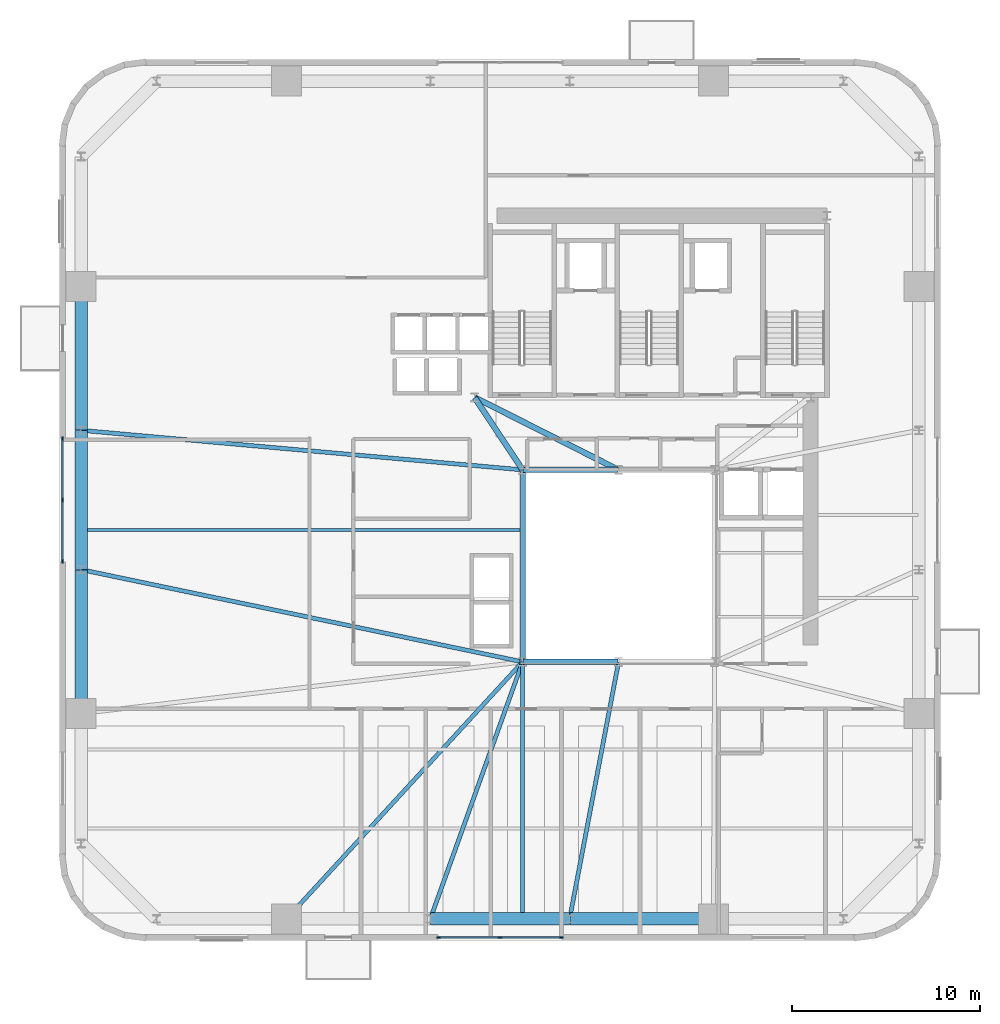
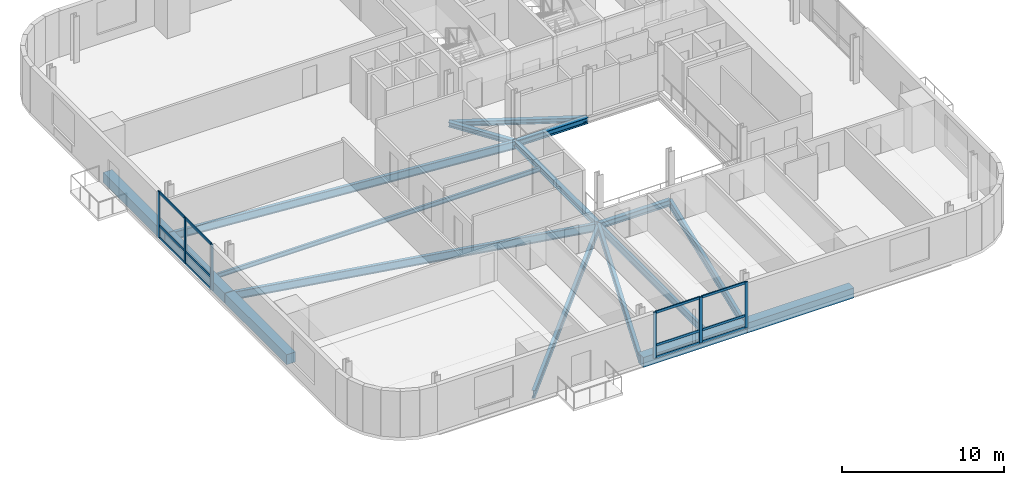
# One storey, part 2 of 14: 18 members, 17 beams, 2 elements without a shape of their own.
"""IFC4 building model written with IfcOpenShell, lengths in metres."""

import ifcopenshell
import ifcopenshell.guid

model = None  # the IFC model being written
_history = None  # IfcOwnerHistory: only IFC2X3 demands one
_inside = {}  # id of a spatial element -> (the spatial element, [elements in it])
_under = {}  # id of a project, library or spatial element -> (it, [spatial elements below it])
_declared = {}  # id of a project -> (the project, [libraries it declares])
_typed = {}  # id of a type object -> (the type object, [elements of that type])
_made_of = {}  # id of a material, layer set ... -> (it, [elements and type objects made of it])


def new_model(schema):
    """Start an empty IFC model of exactly this schema.

    Asked for "IFC4X3", IfcOpenShell would pick the latest addendum, in which some entities
    have other attributes; the version numbers below select the first issue.
    IFC2X3 requires an IfcOwnerHistory on every rooted entity: one is made here for all.
    """
    global model, _history
    if schema == "IFC4X3":
        model = ifcopenshell.file(schema_version=(4, 3, 0, 0))
    else:
        model = ifcopenshell.file(schema=schema)
    _inside.clear()
    _under.clear()
    _declared.clear()
    _typed.clear()
    _made_of.clear()
    _history = None
    if model.schema == "IFC2X3":
        org = make("IfcOrganization", Name="unknown")
        user = make(
            "IfcPersonAndOrganization",
            ThePerson=make("IfcPerson", FamilyName="unknown"),
            TheOrganization=org,
        )
        app = make(
            "IfcApplication",
            ApplicationDeveloper=org,
            Version="unknown",
            ApplicationFullName="unknown",
            ApplicationIdentifier="unknown",
        )
        _history = make(
            "IfcOwnerHistory",
            OwningUser=user,
            OwningApplication=app,
            ChangeAction="ADDED",
            CreationDate=0,
        )
    return model


def make(cls, **values):
    """One entity of the class cls with the attributes given. An attribute that is None is left unset."""
    return model.create_entity(
        cls, **{name: value for name, value in values.items() if value is not None}
    )


def rooted(cls, **values):
    """An entity with a GlobalId (a new one), such as an element, a storey or a relation."""
    return make(cls, GlobalId=ifcopenshell.guid.new(), OwnerHistory=_history, **values)


def si_unit(unit_type, name, prefix=None):
    """IfcSIUnit, for example si_unit("LENGTHUNIT", "METRE", prefix="MILLI")."""
    return make("IfcSIUnit", UnitType=unit_type, Prefix=prefix, Name=name)


def assignment(units):
    """IfcUnitAssignment: the units of a project."""
    return None if units is None else make("IfcUnitAssignment", Units=units)


def point(xyz):
    """IfcCartesianPoint."""
    return None if xyz is None else make("IfcCartesianPoint", Coordinates=xyz)


def direction(xyz):
    """IfcDirection."""
    return None if xyz is None else make("IfcDirection", DirectionRatios=xyz)


def frame(location, z_axis=None, x_axis=None):
    """IfcAxis2Placement3D, a coordinate frame: its origin and axes. An axis left out is left unset."""
    return make(
        "IfcAxis2Placement3D",
        Location=point(location),
        Axis=direction(z_axis),
        RefDirection=direction(x_axis),
    )


def frame_2d(location, x_axis=None):
    """IfcAxis2Placement2D, a coordinate frame in the plane: its origin and x axis."""
    return make(
        "IfcAxis2Placement2D", Location=point(location), RefDirection=direction(x_axis)
    )


def origin():
    """The frame at (0, 0, 0) with its axes left unset."""
    return frame((0.0, 0.0, 0.0))


def origin_2d():
    """The frame at (0, 0) in the plane with its x axis left unset."""
    return frame_2d((0.0, 0.0))


def place(relative_to, where):
    """IfcLocalPlacement: puts the frame where relative to a parent placement (None: the world)."""
    return make(
        "IfcLocalPlacement", PlacementRelTo=relative_to, RelativePlacement=where
    )


def context(
    kind, dimensions, precision=None, world=None, true_north=None, identifier=None
):
    """IfcGeometricRepresentationContext, for example the 3D "Model" context."""
    return make(
        "IfcGeometricRepresentationContext",
        ContextIdentifier=identifier,
        ContextType=kind,
        CoordinateSpaceDimension=dimensions,
        Precision=precision,
        WorldCoordinateSystem=world,
        TrueNorth=true_north,
    )


def subcontext(parent, identifier, kind, view, scale=None):
    """IfcGeometricRepresentationSubContext, for example "Body" below "Model"."""
    return make(
        "IfcGeometricRepresentationSubContext",
        ContextIdentifier=identifier,
        ContextType=kind,
        ParentContext=parent,
        TargetScale=scale,
        TargetView=view,
    )


def project(units=None, contexts=None):
    """IfcProject with its units and contexts."""
    return rooted(
        "IfcProject",
        Name="project",
        RepresentationContexts=contexts,
        UnitsInContext=assignment(units),
    )


def spatial(cls, under=None, at=None, **own):
    """A site, building, storey or space (cls), placed at a placement, below another one or the project."""
    s = rooted(cls, ObjectPlacement=at, **own)
    if under is not None:
        _under.setdefault(under.id(), (under, []))[1].append(s)
    return s


def profile(cls, at=None, kind="AREA", **sizes):
    """A parametric profile (cls). Its sizes go by their IFC names, for example OverallWidth=200.0."""
    return make(cls, ProfileType=kind, Position=at, **sizes)


def rectangle(**sizes):
    """IfcRectangleProfileDef."""
    return profile("IfcRectangleProfileDef", **sizes)


def i_section(**sizes):
    """IfcIShapeProfileDef."""
    return profile("IfcIShapeProfileDef", **sizes)


def extrude(swept, where, along, depth):
    """IfcExtrudedAreaSolid: the profile swept, set in the frame where, extruded along a direction by depth."""
    return make(
        "IfcExtrudedAreaSolid",
        SweptArea=swept,
        Position=where,
        ExtrudedDirection=direction(along),
        Depth=depth,
    )


def shape(context_of_items, identifier, shape_type, items):
    """IfcShapeRepresentation: the items that make up one representation, for example the "Body"."""
    return make(
        "IfcShapeRepresentation",
        ContextOfItems=context_of_items,
        RepresentationIdentifier=identifier,
        RepresentationType=shape_type,
        Items=items,
    )


def source(mapping_origin, context_of_items, identifier, shape_type, items):
    """IfcRepresentationMap: a shape defined once, which mapped items show again and again."""
    return make(
        "IfcRepresentationMap",
        MappingOrigin=mapping_origin,
        MappedRepresentation=shape(context_of_items, identifier, shape_type, items),
    )


def transform(
    local_origin,
    x_axis=None,
    y_axis=None,
    z_axis=None,
    scale=None,
    scale2=None,
    scale3=None,
    uniform=True,
):
    """IfcCartesianTransformationOperator3D, or its non-uniform kind. x_axis, y_axis, z_axis: its Axis1, 2, 3."""
    if uniform:
        return make(
            "IfcCartesianTransformationOperator3D",
            Axis1=direction(x_axis),
            Axis2=direction(y_axis),
            LocalOrigin=point(local_origin),
            Scale=scale,
            Axis3=direction(z_axis),
        )
    return make(
        "IfcCartesianTransformationOperator3DnonUniform",
        Axis1=direction(x_axis),
        Axis2=direction(y_axis),
        LocalOrigin=point(local_origin),
        Scale=scale,
        Axis3=direction(z_axis),
        Scale2=scale2,
        Scale3=scale3,
    )


def mapped(mapping_source, mapping_target):
    """IfcMappedItem: shows the shape of a source again, moved by a transform."""
    return make(
        "IfcMappedItem", MappingSource=mapping_source, MappingTarget=mapping_target
    )


def material(Name=None, Category=None):
    """IfcMaterial."""
    return make("IfcMaterial", Name=Name, Category=Category)


def material_profile(
    of_material, cross_section, Name=None, Category=None, Priority=None
):
    """IfcMaterialProfile: a cross section and its material."""
    return make(
        "IfcMaterialProfile",
        Name=Name,
        Material=of_material,
        Profile=cross_section,
        Priority=Priority,
        Category=Category,
    )


def profile_set(profiles, Name=None, composite=None):
    """IfcMaterialProfileSet."""
    return make(
        "IfcMaterialProfileSet",
        Name=Name,
        MaterialProfiles=profiles,
        CompositeProfile=composite,
    )


def made_of(thing, what):
    """Note that an element or type object is made of a material, layer set ...; save() writes the relation."""
    if what is not None:
        _made_of.setdefault(what.id(), (what, []))[1].append(thing)
    return thing


def type_object(cls, material=None, **own):
    """A type object (cls), such as IfcWallType, which elements share."""
    return made_of(rooted(cls, **own), material)


def element(
    cls,
    number,
    at=None,
    inside=None,
    cuts=None,
    type_object=None,
    material=None,
    context=None,
    identifier="Body",
    shape_type=None,
    held_by="IfcProductDefinitionShape",
    body=None,
    shapes=None,
    **own,
):
    """One element of the class cls, such as IfcWall. Its Tag is "e" and its number.

    at: its placement. inside: the storey or other place that contains it. cuts: it is an
    opening in that element (IfcRelVoidsElement). A single representation is given by context,
    identifier, shape_type and body (its items); several are given by shapes. held_by: the class
    of the entity that holds the representations. save() writes the other relations.
    """
    e = rooted(cls, Tag="e%d" % number, ObjectPlacement=at, **own)
    if body is not None:
        shapes = [shape(context, identifier, shape_type, body)]
    if shapes is not None:
        e.Representation = make(held_by, Representations=shapes)
    if inside is not None:
        _inside.setdefault(inside.id(), (inside, []))[1].append(e)
    if cuts is not None:
        rooted(
            "IfcRelVoidsElement", RelatingBuildingElement=cuts, RelatedOpeningElement=e
        )
    if type_object is not None:
        _typed.setdefault(type_object.id(), (type_object, []))[1].append(e)
    return made_of(e, material)


def aggregate(whole, parts):
    """IfcRelAggregates: a whole, such as a stair, and the parts it consists of."""
    return rooted("IfcRelAggregates", RelatingObject=whole, RelatedObjects=parts)


def save(model, path):
    """Write the relations noted so far, then the file.

    IfcRelAggregates (storeys below a building ...), IfcRelContainedInSpatialStructure (elements
    in a storey), IfcRelDefinesByType, IfcRelAssociatesMaterial and IfcRelDeclares: one each for
    every whole, place, type object, material and project.
    """
    for whole, parts in _under.values():
        aggregate(whole, parts)
    for where, things in _inside.values():
        rooted(
            "IfcRelContainedInSpatialStructure",
            RelatedElements=things,
            RelatingStructure=where,
        )
    for kind, things in _typed.values():
        rooted("IfcRelDefinesByType", RelatedObjects=things, RelatingType=kind)
    for what, things in _made_of.values():
        rooted("IfcRelAssociatesMaterial", RelatedObjects=things, RelatingMaterial=what)
    for by, libraries in _declared.values():
        rooted("IfcRelDeclares", RelatingContext=by, RelatedDefinitions=libraries)
    model.write(path)


model = new_model("IFC4")

# Units and contexts
model_context = context("Model", 3, precision=1e-05, world=origin(), true_north=direction((0.0, 1.0)))
body_context = subcontext(model_context, "Body", "Model", "MODEL_VIEW")
ifc_project = project(units=[si_unit("LENGTHUNIT", "METRE"), si_unit("AREAUNIT", "SQUARE_METRE"), si_unit("VOLUMEUNIT", "CUBIC_METRE"), si_unit("PLANEANGLEUNIT", "RADIAN"), si_unit("MASSUNIT", "GRAM", prefix="KILO")], contexts=[model_context])

# Site, building, storey
site_placement = place(None, origin())
site = spatial("IfcSite", under=ifc_project, at=site_placement, CompositionType="ELEMENT")
building_placement = place(site_placement, origin())
building = spatial("IfcBuilding", under=site, at=building_placement, Name="Vardaveli Station Tower", CompositionType="ELEMENT")
storey_placement = place(building_placement, frame((0.0, 0.0, 126.10009765625)))
storey = spatial("IfcBuildingStorey", under=building, at=storey_placement, Name="L32", CompositionType="ELEMENT", Elevation=126.10009765625)

# Beams
ifc_material_1 = material(Name="Structural steel S355J2", Category="steel")
ifc_material_profile_1 = material_profile(ifc_material_1, i_section(OverallWidth=0.300048828125, OverallDepth=0.449951171875, WebThickness=0.013916015625, FlangeThickness=0.02587890625, FilletRadius=0.027099609375, at=origin_2d()), Name="HEB 450")
ifc_profile_set_1 = profile_set([ifc_material_profile_1], Name="Structural steel S355J2")
beam_type_1 = type_object("IfcBeamType", Name="BM-HEB450", PredefinedType="BEAM", material=ifc_profile_set_1)
shared_shape_1 = source(origin(), body_context, "Body", "SweptSolid", [
    extrude(i_section(OverallWidth=0.300048828125, OverallDepth=0.449951171875, WebThickness=0.013916015625, FlangeThickness=0.02587890625, FilletRadius=0.027099609375, at=origin_2d()), origin(), (0.0, 0.0, 1.0), 5.06005859375),
])
for number, where, z_axis, x_axis, name in (
    (1, (31.219970703125, 16.60009765625, -0.465087890625), (1.0, 0.0, 0.0), (0.0, 1.0, 0.0), "ABM-L32-01"),
    (2, (36.280029296875, 26.800048828125, -0.465087890625), (-1.0, 0.0, 0.0), (0.0, -1.0, 0.0), "ABM-L32-05"),
):
    element("IfcBeam", number, at=place(storey_placement, frame(where, z_axis=z_axis, x_axis=x_axis)), inside=storey, type_object=beam_type_1, Name=name, PredefinedType="BEAM", context=body_context, shape_type="MappedRepresentation", body=[
        mapped(shared_shape_1, transform((0.0, 0.0, 0.0), scale=1.0)),
    ])
shared_shape_2 = source(origin(), body_context, "Body", "SweptSolid", [
    extrude(i_section(OverallWidth=0.300048828125, OverallDepth=0.449951171875, WebThickness=0.013916015625, FlangeThickness=0.02587890625, FilletRadius=0.027099609375, at=origin_2d()), origin(), (0.0, 0.0, 1.0), 10.159912109375),
])
beam_1_placement = place(storey_placement, frame((31.199951171875, 26.780029296875, -0.465087890625), z_axis=(0.0, -1.0, 0.0), x_axis=(1.0, 0.0, 0.0)))
element("IfcBeam", 3, at=beam_1_placement, inside=storey, type_object=beam_type_1, Name="ABM-L32-06", PredefinedType="BEAM", context=body_context, shape_type="MappedRepresentation", body=[
    mapped(shared_shape_2, transform((0.0, 0.0, 0.0), scale=1.0)),
])
ifc_material_profile_2 = material_profile(ifc_material_1, i_section(OverallWidth=0.300048828125, OverallDepth=0.360107421875, WebThickness=0.012451171875, FlangeThickness=0.0224609375, FilletRadius=0.027099609375, at=origin_2d()), Name="HEB 360")
ifc_profile_set_2 = profile_set([ifc_material_profile_2], Name="Structural steel S355J2")
beam_type_2 = type_object("IfcBeamType", Name="BM-HEB360", PredefinedType="BEAM", material=ifc_profile_set_2)
shared_shape_3 = source(origin(), body_context, "Body", "SweptSolid", [
    extrude(i_section(OverallWidth=0.300048828125, OverallDepth=0.360107421875, WebThickness=0.012451171875, FlangeThickness=0.0224609375, FilletRadius=0.027099609375, at=origin_2d()), origin(), (0.0, 0.0, 1.0), 4.577880859375),
])
beam_2_placement = place(storey_placement, frame((31.18896484375, 26.816650390625, -0.420166015625), z_axis=(-0.55218702139, 0.833720272879, 0.0), x_axis=(-0.833720272879, -0.55218702139, 0.0)))
element("IfcBeam", 4, at=beam_2_placement, inside=storey, type_object=beam_type_2, Name="CBM-L32-01", PredefinedType="BEAM", context=body_context, shape_type="MappedRepresentation", body=[
    mapped(shared_shape_3, transform((0.0, 0.0, 0.0), scale=1.0)),
])
shared_shape_4 = source(origin(), body_context, "Body", "SweptSolid", [
    extrude(i_section(OverallWidth=0.300048828125, OverallDepth=0.360107421875, WebThickness=0.012451171875, FlangeThickness=0.0224609375, FilletRadius=0.027099609375, at=origin_2d()), origin(), (0.0, 0.0, 1.0), 8.524169921875),
])
beam_3_placement = place(storey_placement, frame((28.66796875, 30.64111328125, -0.420166015625), z_axis=(0.893255584708, -0.449549174605, 0.0), x_axis=(0.449549174605, 0.893255584708, 0.0)))
element("IfcBeam", 5, at=beam_3_placement, inside=storey, type_object=beam_type_2, Name="CBM-L32-03", PredefinedType="BEAM", context=body_context, shape_type="MappedRepresentation", body=[
    mapped(shared_shape_4, transform((0.0, 0.0, 0.0), scale=1.0)),
])
ifc_material_2 = material(Name="Precast concrete C45/55", Category="concrete")
ifc_material_profile_3 = material_profile(ifc_material_2, rectangle(XDim=0.64990234375, YDim=0.75, at=origin_2d()), Name="LPB 650x750")
ifc_profile_set_3 = profile_set([ifc_material_profile_3], Name="Precast concrete C45/55")
beam_type_3 = type_object("IfcBeamType", Name="BM-LPB-750", PredefinedType="BEAM", material=ifc_profile_set_3)
shared_shape_5 = source(origin(), body_context, "Body", "SweptSolid", [
    extrude(rectangle(XDim=0.64990234375, YDim=0.75, at=origin_2d()), origin(), (0.0, 0.0, 1.0), 7.60009765625),
])
for number, where, z_axis, x_axis, name in (
    (6, (33.719970703125, 2.949951171875, -0.614990234375), (1.0, 0.0, 0.0), (0.0, 1.0, 0.0), "RBM-L32-03"),
    (7, (7.75, 36.52001953125, -0.614990234375), (0.0, -1.0, 0.0), (1.0, 0.0, 0.0), "RBM-L32-19"),
    (8, (7.75, 21.47998046875, -0.614990234375), (0.0, -1.0, 0.0), (1.0, 0.0, 0.0), "RBM-L32-21"),
):
    element("IfcBeam", number, at=place(storey_placement, frame(where, z_axis=z_axis, x_axis=x_axis)), inside=storey, type_object=beam_type_3, Name=name, PredefinedType="BEAM", context=body_context, shape_type="MappedRepresentation", body=[
        mapped(shared_shape_5, transform((0.0, 0.0, 0.0), scale=1.0)),
    ])
shared_shape_6 = source(origin(), body_context, "Body", "SweptSolid", [
    extrude(rectangle(XDim=0.64990234375, YDim=0.75, at=origin_2d()), origin(), (0.0, 0.0, 1.0), 7.35986328125),
])
for number, where, z_axis, x_axis, name in (
    (9, (26.320068359375, 2.949951171875, -0.614990234375), (1.0, 0.0, 0.0), (0.0, 1.0, 0.0), "RBM-L32-02"),
    (10, (7.75, 28.8798828125, -0.614990234375), (0.0, -1.0, 0.0), (1.0, 0.0, 0.0), "RBM-L32-20"),
):
    element("IfcBeam", number, at=place(storey_placement, frame(where, z_axis=z_axis, x_axis=x_axis)), inside=storey, type_object=beam_type_3, Name=name, PredefinedType="BEAM", context=body_context, shape_type="MappedRepresentation", body=[
        mapped(shared_shape_6, transform((0.0, 0.0, 0.0), scale=1.0)),
    ])
ifc_material_profile_4 = material_profile(ifc_material_1, i_section(OverallWidth=0.2099609375, OverallDepth=0.550048828125, WebThickness=0.010986328125, FlangeThickness=0.01708984375, FilletRadius=0.02392578125, at=origin_2d()), Name="IPE 550")
ifc_profile_set_4 = profile_set([ifc_material_profile_4], Name="Structural steel S355J2")
beam_type_4 = type_object("IfcBeamType", Name="BM-IPE550", PredefinedType="BEAM", material=ifc_profile_set_4)
shared_shape_7 = source(origin(), body_context, "Body", "SweptSolid", [
    extrude(i_section(OverallWidth=0.2099609375, OverallDepth=0.550048828125, WebThickness=0.010986328125, FlangeThickness=0.01708984375, FilletRadius=0.02392578125, at=origin_2d()), origin(), (0.0, 0.0, 1.0), 13.469970703125),
])
beam_4_placement = place(storey_placement, frame((31.199951171875, 2.989990234375, -0.51513671875), z_axis=(0.0, 1.0, 0.0), x_axis=(-1.0, 0.0, 0.0)))
element("IfcBeam", 11, at=beam_4_placement, inside=storey, type_object=beam_type_4, Name="NSM-L32-S1", PredefinedType="BEAM", context=body_context, shape_type="MappedRepresentation", body=[
    mapped(shared_shape_7, transform((0.0, 0.0, 0.0), scale=1.0)),
])
ifc_material_profile_5 = material_profile(ifc_material_1, i_section(OverallWidth=0.159912109375, OverallDepth=0.330078125, WebThickness=0.007568359375, FlangeThickness=0.011474609375, FilletRadius=0.01806640625, at=origin_2d()), Name="IPE 330")
ifc_profile_set_5 = profile_set([ifc_material_profile_5], Name="Structural steel S355J2")
beam_type_5 = type_object("IfcBeamType", Name="BM-IPE330", PredefinedType="JOIST", material=ifc_profile_set_5)
shared_shape_8 = source(origin(), body_context, "Body", "SweptSolid", [
    extrude(i_section(OverallWidth=0.159912109375, OverallDepth=0.330078125, WebThickness=0.007568359375, FlangeThickness=0.011474609375, FilletRadius=0.01806640625, at=origin_2d()), origin(), (0.0, 0.0, 1.0), 23.2978515625),
])
beam_5_placement = place(storey_placement, frame((7.7900390625, 23.60009765625, -0.405029296875), z_axis=(1.0, 0.0, 0.0), x_axis=(0.0, 1.0, 0.0)))
element("IfcBeam", 12, at=beam_5_placement, inside=storey, type_object=beam_type_5, Name="SJ-L32-W06", PredefinedType="JOIST", context=body_context, shape_type="MappedRepresentation", body=[
    mapped(shared_shape_8, transform((0.0, 0.0, 0.0), scale=1.0)),
])
ifc_material_profile_6 = material_profile(ifc_material_1, i_section(OverallWidth=0.219970703125, OverallDepth=0.60009765625, WebThickness=0.011962890625, FlangeThickness=0.01904296875, FilletRadius=0.02392578125, at=origin_2d()), Name="IPE 600")
ifc_profile_set_6 = profile_set([ifc_material_profile_6], Name="Structural steel S355J2")
beam_type_6 = type_object("IfcBeamType", Name="BM-IPE600", PredefinedType="BEAM", material=ifc_profile_set_6)
shared_shape_9 = source(origin(), body_context, "Body", "SweptSolid", [
    extrude(i_section(OverallWidth=0.219970703125, OverallDepth=0.60009765625, WebThickness=0.011962890625, FlangeThickness=0.01904296875, FilletRadius=0.02392578125, at=origin_2d()), origin(), (0.0, 0.0, 1.0), 18.49560546875),
])
beam_6_placement = place(storey_placement, frame((18.673583984375, 2.96484375, -0.5400390625), z_axis=(0.676535341891, 0.736410165039, 0.0), x_axis=(-0.736410165039, 0.676535341891, 0.0)))
element("IfcBeam", 13, at=beam_6_placement, inside=storey, type_object=beam_type_6, Name="GBM-L32-01", PredefinedType="BEAM", context=body_context, shape_type="MappedRepresentation", body=[
    mapped(shared_shape_9, transform((0.0, 0.0, 0.0), scale=1.0)),
])
shared_shape_10 = source(origin(), body_context, "Body", "SweptSolid", [
    extrude(i_section(OverallWidth=0.219970703125, OverallDepth=0.60009765625, WebThickness=0.011962890625, FlangeThickness=0.01904296875, FilletRadius=0.02392578125, at=origin_2d()), origin(), (0.0, 0.0, 1.0), 14.462890625),
])
beam_7_placement = place(storey_placement, frame((26.306640625, 2.96875, -0.5400390625), z_axis=(0.337880090533, 0.941189165057, 0.0), x_axis=(-0.941189165057, 0.337880090533, 0.0)))
element("IfcBeam", 14, at=beam_7_placement, inside=storey, type_object=beam_type_6, Name="GBM-L32-02", PredefinedType="BEAM", context=body_context, shape_type="MappedRepresentation", body=[
    mapped(shared_shape_10, transform((0.0, 0.0, 0.0), scale=1.0)),
])
shared_shape_11 = source(origin(), body_context, "Body", "SweptSolid", [
    extrude(i_section(OverallWidth=0.219970703125, OverallDepth=0.60009765625, WebThickness=0.011962890625, FlangeThickness=0.01904296875, FilletRadius=0.02392578125, at=origin_2d()), origin(), (0.0, 0.0, 1.0), 13.855224609375),
])
beam_8_placement = place(storey_placement, frame((33.703857421875, 2.9697265625, -0.5400390625), z_axis=(0.187097533125, 0.982341342456, 0.0), x_axis=(-0.982341342456, 0.187097533125, 0.0)))
element("IfcBeam", 15, at=beam_8_placement, inside=storey, type_object=beam_type_6, Name="GBM-L32-03", PredefinedType="BEAM", context=body_context, shape_type="MappedRepresentation", body=[
    mapped(shared_shape_11, transform((0.0, 0.0, 0.0), scale=1.0)),
])
shared_shape_12 = source(origin(), body_context, "Body", "SweptSolid", [
    extrude(i_section(OverallWidth=0.219970703125, OverallDepth=0.60009765625, WebThickness=0.011962890625, FlangeThickness=0.01904296875, FilletRadius=0.02392578125, at=origin_2d()), origin(), (0.0, 0.0, 1.0), 23.50390625),
])
beam_9_placement = place(storey_placement, frame((7.77001953125, 28.898193359375, -0.5400390625), z_axis=(0.996014142198, -0.08919545135, 0.0), x_axis=(0.08919545135, 0.996014142198, 0.0)))
element("IfcBeam", 16, at=beam_9_placement, inside=storey, type_object=beam_type_6, Name="GBM-L32-08", PredefinedType="BEAM", context=body_context, shape_type="MappedRepresentation", body=[
    mapped(shared_shape_12, transform((0.0, 0.0, 0.0), scale=1.0)),
])
shared_shape_13 = source(origin(), body_context, "Body", "SweptSolid", [
    extrude(i_section(OverallWidth=0.219970703125, OverallDepth=0.60009765625, WebThickness=0.011962890625, FlangeThickness=0.01904296875, FilletRadius=0.02392578125, at=origin_2d()), origin(), (0.0, 0.0, 1.0), 23.91650390625),
])
beam_10_placement = place(storey_placement, frame((7.76953125, 21.495849609375, -0.5400390625), z_axis=(0.978858547354, -0.204538368703, 0.0), x_axis=(0.204538368703, 0.978858547354, 0.0)))
element("IfcBeam", 17, at=beam_10_placement, inside=storey, type_object=beam_type_6, Name="GBM-L32-09", PredefinedType="BEAM", context=body_context, shape_type="MappedRepresentation", body=[
    mapped(shared_shape_13, transform((0.0, 0.0, 0.0), scale=1.0)),
])

# Curtain wall, members
ifc_material_3 = material(Name="Travertine stone and solar-control glass", Category="masonry")
curtain_wall_type = type_object("IfcCurtainWallType", Name="CW-SYS-2", PredefinedType="NOTDEFINED", material=ifc_material_3)
curtain_wall_1_placement = place(storey_placement, origin())
curtain_wall_1 = element("IfcCurtainWall", 18, at=curtain_wall_1_placement, inside=storey, type_object=curtain_wall_type, Name="CW-L32-S", PredefinedType="NOTDEFINED")
ifc_material_4 = material(Name="Anodised aluminium alloy 6063-T6", Category="aluminium")
ifc_material_profile_7 = material_profile(ifc_material_4, rectangle(XDim=0.0849609375, YDim=0.179931640625, at=origin_2d()), Name="CWT 85x180")
ifc_profile_set_7 = profile_set([ifc_material_profile_7], Name="Anodised aluminium alloy 6063-T6")
member_type_1 = type_object("IfcMemberType", Name="CW-SYS-2-TRAN", PredefinedType="NOTDEFINED", material=ifc_profile_set_7)
shared_shape_14 = source(origin(), body_context, "Body", "SweptSolid", [
    extrude(rectangle(XDim=0.0849609375, YDim=0.179931640625, at=origin_2d()), origin(), (0.0, 0.0, 1.0), 3.172607421875),
])
member_1_placement = place(storey_placement, frame((26.784912109375, 1.9599609375, 0.04248046875), z_axis=(1.0, 0.0, 0.0), x_axis=(0.0, 1.0, 0.0)))
member_1 = element("IfcMember", 19, at=member_1_placement, type_object=member_type_1, Name="CW-2 transom 1.1", ObjectType="TRANSOM", PredefinedType="USERDEFINED", context=body_context, shape_type="MappedRepresentation", body=[
    mapped(shared_shape_14, transform((0.0, 0.0, 0.0), scale=1.0)),
])
member_2_placement = place(storey_placement, frame((26.784912109375, 1.9599609375, 0.949951171875), z_axis=(1.0, 0.0, 0.0), x_axis=(0.0, 1.0, 0.0)))
member_2 = element("IfcMember", 20, at=member_2_placement, type_object=member_type_1, Name="CW-2 transom 1.2", ObjectType="TRANSOM", PredefinedType="USERDEFINED", context=body_context, shape_type="MappedRepresentation", body=[
    mapped(shared_shape_14, transform((0.0, 0.0, 0.0), scale=1.0)),
])
member_3_placement = place(storey_placement, frame((26.784912109375, 1.9599609375, 3.41748046875), z_axis=(1.0, 0.0, 0.0), x_axis=(0.0, 1.0, 0.0)))
member_3 = element("IfcMember", 21, at=member_3_placement, type_object=member_type_1, Name="CW-2 transom 1.3", ObjectType="TRANSOM", PredefinedType="USERDEFINED", context=body_context, shape_type="MappedRepresentation", body=[
    mapped(shared_shape_14, transform((0.0, 0.0, 0.0), scale=1.0)),
])
member_4_placement = place(storey_placement, frame((30.04248046875, 1.9599609375, 0.04248046875), z_axis=(1.0, 0.0, 0.0), x_axis=(0.0, 1.0, 0.0)))
member_4 = element("IfcMember", 22, at=member_4_placement, type_object=member_type_1, Name="CW-2 transom 2.1", ObjectType="TRANSOM", PredefinedType="USERDEFINED", context=body_context, shape_type="MappedRepresentation", body=[
    mapped(shared_shape_14, transform((0.0, 0.0, 0.0), scale=1.0)),
])
member_5_placement = place(storey_placement, frame((30.04248046875, 1.9599609375, 0.949951171875), z_axis=(1.0, 0.0, 0.0), x_axis=(0.0, 1.0, 0.0)))
member_5 = element("IfcMember", 23, at=member_5_placement, type_object=member_type_1, Name="CW-2 transom 2.2", ObjectType="TRANSOM", PredefinedType="USERDEFINED", context=body_context, shape_type="MappedRepresentation", body=[
    mapped(shared_shape_14, transform((0.0, 0.0, 0.0), scale=1.0)),
])
member_6_placement = place(storey_placement, frame((30.04248046875, 1.9599609375, 3.41748046875), z_axis=(1.0, 0.0, 0.0), x_axis=(0.0, 1.0, 0.0)))
member_6 = element("IfcMember", 24, at=member_6_placement, type_object=member_type_1, Name="CW-2 transom 2.3", ObjectType="TRANSOM", PredefinedType="USERDEFINED", context=body_context, shape_type="MappedRepresentation", body=[
    mapped(shared_shape_14, transform((0.0, 0.0, 0.0), scale=1.0)),
])

curtain_wall_2_placement = place(storey_placement, origin())
curtain_wall_2 = element("IfcCurtainWall", 25, at=curtain_wall_2_placement, inside=storey, type_object=curtain_wall_type, Name="CW-L32-W", PredefinedType="NOTDEFINED")
member_7_placement = place(storey_placement, frame((6.760009765625, 28.4150390625, 0.04248046875), z_axis=(0.0, -1.0, 0.0), x_axis=(1.0, 0.0, 0.0)))
member_7 = element("IfcMember", 26, at=member_7_placement, type_object=member_type_1, Name="CW-2 transom 1.1", ObjectType="TRANSOM", PredefinedType="USERDEFINED", context=body_context, shape_type="MappedRepresentation", body=[
    mapped(shared_shape_14, transform((0.0, 0.0, 0.0), scale=1.0)),
])
member_8_placement = place(storey_placement, frame((6.760009765625, 28.4150390625, 0.949951171875), z_axis=(0.0, -1.0, 0.0), x_axis=(1.0, 0.0, 0.0)))
member_8 = element("IfcMember", 27, at=member_8_placement, type_object=member_type_1, Name="CW-2 transom 1.2", ObjectType="TRANSOM", PredefinedType="USERDEFINED", context=body_context, shape_type="MappedRepresentation", body=[
    mapped(shared_shape_14, transform((0.0, 0.0, 0.0), scale=1.0)),
])
member_9_placement = place(storey_placement, frame((6.760009765625, 28.4150390625, 3.41748046875), z_axis=(0.0, -1.0, 0.0), x_axis=(1.0, 0.0, 0.0)))
member_9 = element("IfcMember", 28, at=member_9_placement, type_object=member_type_1, Name="CW-2 transom 1.3", ObjectType="TRANSOM", PredefinedType="USERDEFINED", context=body_context, shape_type="MappedRepresentation", body=[
    mapped(shared_shape_14, transform((0.0, 0.0, 0.0), scale=1.0)),
])
shared_shape_15 = source(origin(), body_context, "Body", "SweptSolid", [
    extrude(rectangle(XDim=0.0849609375, YDim=0.179931640625, at=origin_2d()), origin(), (0.0, 0.0, 1.0), 3.17236328125),
])
member_10_placement = place(storey_placement, frame((6.760009765625, 25.157470703125, 0.04248046875), z_axis=(0.0, -1.0, 0.0), x_axis=(1.0, 0.0, 0.0)))
member_10 = element("IfcMember", 29, at=member_10_placement, type_object=member_type_1, Name="CW-2 transom 2.1", ObjectType="TRANSOM", PredefinedType="USERDEFINED", context=body_context, shape_type="MappedRepresentation", body=[
    mapped(shared_shape_15, transform((0.0, 0.0, 0.0), scale=1.0)),
])
member_11_placement = place(storey_placement, frame((6.760009765625, 25.157470703125, 0.949951171875), z_axis=(0.0, -1.0, 0.0), x_axis=(1.0, 0.0, 0.0)))
member_11 = element("IfcMember", 30, at=member_11_placement, type_object=member_type_1, Name="CW-2 transom 2.2", ObjectType="TRANSOM", PredefinedType="USERDEFINED", context=body_context, shape_type="MappedRepresentation", body=[
    mapped(shared_shape_15, transform((0.0, 0.0, 0.0), scale=1.0)),
])
member_12_placement = place(storey_placement, frame((6.760009765625, 25.157470703125, 3.41748046875), z_axis=(0.0, -1.0, 0.0), x_axis=(1.0, 0.0, 0.0)))
member_12 = element("IfcMember", 31, at=member_12_placement, type_object=member_type_1, Name="CW-2 transom 2.3", ObjectType="TRANSOM", PredefinedType="USERDEFINED", context=body_context, shape_type="MappedRepresentation", body=[
    mapped(shared_shape_15, transform((0.0, 0.0, 0.0), scale=1.0)),
])

# Member
ifc_material_profile_8 = material_profile(ifc_material_4, rectangle(XDim=0.0849609375, YDim=0.219970703125, at=origin_2d()), Name="CWM 85x220")
ifc_profile_set_8 = profile_set([ifc_material_profile_8], Name="Anodised aluminium alloy 6063-T6")
member_type_2 = type_object("IfcMemberType", Name="CW-SYS-2-MULL", PredefinedType="MULLION", material=ifc_profile_set_8)
shared_shape_16 = source(origin(), body_context, "Body", "SweptSolid", [
    extrude(rectangle(XDim=0.0849609375, YDim=0.219970703125, at=origin_2d()), origin(), (0.0, 0.0, 1.0), 3.4599609375),
])
member_13_placement = place(storey_placement, frame((26.742431640625, 1.9599609375, 0.0), z_axis=(0.0, 0.0, 1.0), x_axis=(0.0, 1.0, 0.0)))
member_13 = element("IfcMember", 32, at=member_13_placement, type_object=member_type_2, Name="CW-2 mullion 1", PredefinedType="MULLION", context=body_context, shape_type="MappedRepresentation", body=[
    mapped(shared_shape_16, transform((0.0, 0.0, 0.0), scale=1.0)),
])

member_14_placement = place(storey_placement, frame((30.0, 1.9599609375, 0.0), z_axis=(0.0, 0.0, 1.0), x_axis=(0.0, 1.0, 0.0)))
member_14 = element("IfcMember", 33, at=member_14_placement, type_object=member_type_2, Name="CW-2 mullion 2", PredefinedType="MULLION", context=body_context, shape_type="MappedRepresentation", body=[
    mapped(shared_shape_16, transform((0.0, 0.0, 0.0), scale=1.0)),
])

member_15_placement = place(storey_placement, frame((33.257568359375, 1.9599609375, 0.0), z_axis=(0.0, 0.0, 1.0), x_axis=(0.0, 1.0, 0.0)))
member_15 = element("IfcMember", 34, at=member_15_placement, type_object=member_type_2, Name="CW-2 mullion 3", PredefinedType="MULLION", context=body_context, shape_type="MappedRepresentation", body=[
    mapped(shared_shape_16, transform((0.0, 0.0, 0.0), scale=1.0)),
])

aggregate(curtain_wall_1, [member_13, member_14, member_15, member_1, member_2, member_3, member_4, member_5, member_6])

member_16_placement = place(storey_placement, frame((6.760009765625, 28.45751953125, 0.0), z_axis=(0.0, 0.0, 1.0), x_axis=(1.0, 0.0, 0.0)))
member_16 = element("IfcMember", 35, at=member_16_placement, type_object=member_type_2, Name="CW-2 mullion 1", PredefinedType="MULLION", context=body_context, shape_type="MappedRepresentation", body=[
    mapped(shared_shape_16, transform((0.0, 0.0, 0.0), scale=1.0)),
])

member_17_placement = place(storey_placement, frame((6.760009765625, 25.199951171875, 0.0), z_axis=(0.0, 0.0, 1.0), x_axis=(1.0, 0.0, 0.0)))
member_17 = element("IfcMember", 36, at=member_17_placement, type_object=member_type_2, Name="CW-2 mullion 2", PredefinedType="MULLION", context=body_context, shape_type="MappedRepresentation", body=[
    mapped(shared_shape_16, transform((0.0, 0.0, 0.0), scale=1.0)),
])

member_18_placement = place(storey_placement, frame((6.760009765625, 21.9423828125, 0.0), z_axis=(0.0, 0.0, 1.0), x_axis=(1.0, 0.0, 0.0)))
member_18 = element("IfcMember", 37, at=member_18_placement, type_object=member_type_2, Name="CW-2 mullion 3", PredefinedType="MULLION", context=body_context, shape_type="MappedRepresentation", body=[
    mapped(shared_shape_16, transform((0.0, 0.0, 0.0), scale=1.0)),
])

aggregate(curtain_wall_2, [member_16, member_17, member_18, member_7, member_8, member_9, member_10, member_11, member_12])

save(model, "model.ifc")
